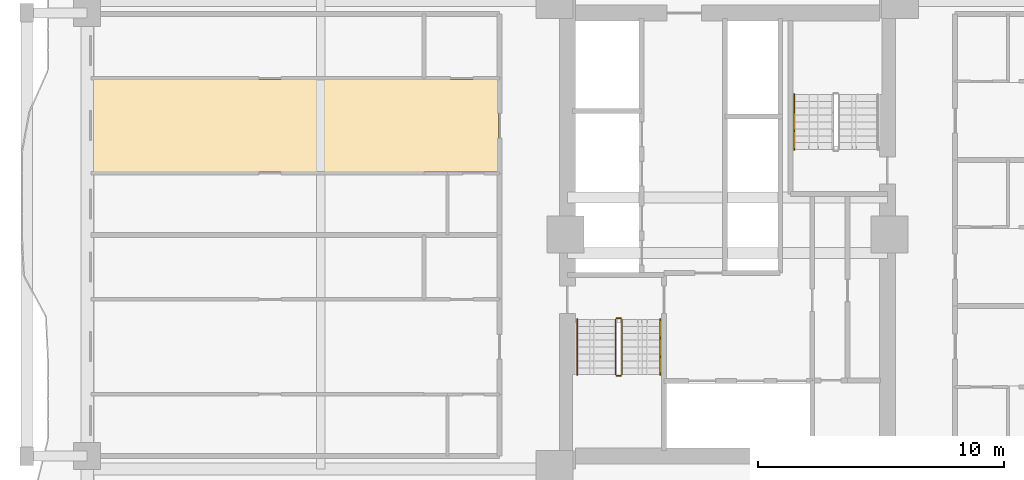
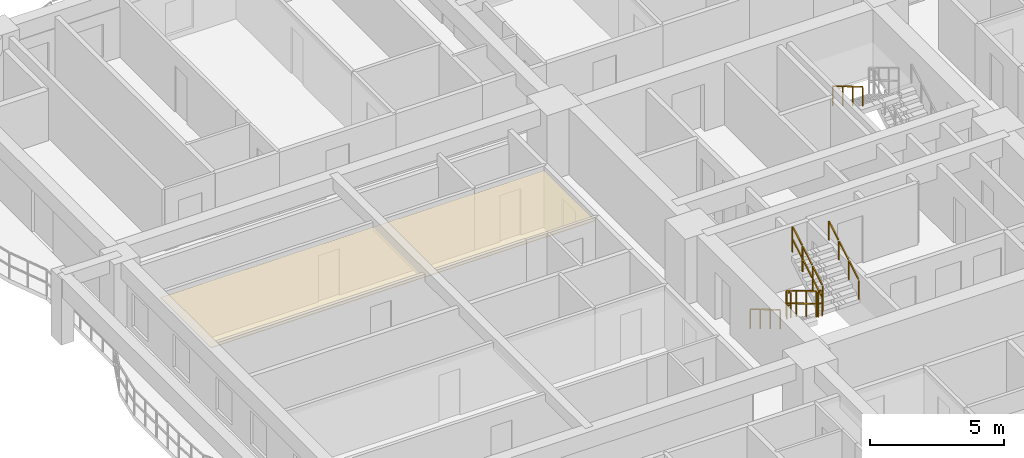
# One storey, part 13 of 16: 7 railings, 1 covering.
"""IFC4 building model written with IfcOpenShell, lengths in metres."""

from ifc_helpers import new_model, si_unit, direction, frame, origin, origin_2d, place, context, subcontext, project, spatial, polyline, rectangle, outline, extrude, material, layer, layer_set, type_object, element, save


model = new_model("IFC4")

# Units and contexts
model_context = context("Model", 3, precision=1e-05, world=origin(), true_north=direction((0.0, 1.0)))
body_context = subcontext(model_context, "Body", "Model", "MODEL_VIEW")
ifc_project = project(units=[si_unit("LENGTHUNIT", "METRE"), si_unit("AREAUNIT", "SQUARE_METRE"), si_unit("VOLUMEUNIT", "CUBIC_METRE"), si_unit("PLANEANGLEUNIT", "RADIAN"), si_unit("MASSUNIT", "GRAM", prefix="KILO")], contexts=[model_context])

# Site, building, storey
site_placement = place(None, origin())
site = spatial("IfcSite", under=ifc_project, at=site_placement, CompositionType="ELEMENT")
building_placement = place(site_placement, origin())
building = spatial("IfcBuilding", under=site, at=building_placement, Name="Saelheon Loggia Tower", CompositionType="ELEMENT")
storey_placement = place(building_placement, frame((0.0, 0.0, 37.39990234375)))
storey = spatial("IfcBuildingStorey", under=building, at=storey_placement, Name="L11", CompositionType="ELEMENT", Elevation=37.39990234375)

# Covering
ifc_material_1 = material(Name="Mineral-Fibre Acoustic Ceiling Board", Category="gypsum")
ifc_layer = layer(ifc_material_1, 0.02490234375)
ifc_layer_set = layer_set([ifc_layer], Name="Mineral-Fibre Acoustic Ceiling Board")
covering_type = type_object("IfcCoveringType", Name="Cov_Ceiling_Acoustic", PredefinedType="CEILING", material=ifc_layer_set)
covering_placement = place(storey_placement, frame((0.0, 0.0, 2.53515625)))
element("IfcCovering", 1, at=covering_placement, inside=storey, type_object=covering_type, Name="L11 Acoustic Suspended Ceiling", PredefinedType="CEILING", context=body_context, shape_type="SweptSolid", body=[
    extrude(outline(polyline([(12.199951171875, 29.5380859375), (28.699951171875, 29.5380859375), (28.699951171875, 33.300048828125), (12.199951171875, 33.300048828125), (12.199951171875, 29.5380859375)])), origin(), (0.0, 0.0, 1.0), 0.02490234375),
])

# Railings
ifc_material_2 = material(Name="Galvanised Steel S275 Stairwell Guardrail", Category="steel")
railing_type_1 = type_object("IfcRailingType", Name="Guard_StairWell_RL_STG", PredefinedType="GUARDRAIL", material=ifc_material_2)
railing_1_placement = place(storey_placement, frame((33.4599609375, 23.550048828125, 0.166748046875)))
element("IfcRailing", 2, at=railing_1_placement, inside=storey, type_object=railing_type_1, Name="L11 ST1 stair guard 1", PredefinedType="GUARDRAIL", context=body_context, shape_type="SweptSolid", body=[
    extrude(rectangle(XDim=0.048095703125, YDim=0.048095703125, at=origin_2d()), frame((0.0, -0.028564453125, 1.19287109375), z_axis=(0.0, -0.859305625298, 0.511462454469), x_axis=(1.0, 0.0, 0.0)), (0.0, 0.0, 1.0), 0.802490234375),
    extrude(rectangle(XDim=0.048095703125, YDim=0.048095703125, at=origin_2d()), frame((0.0, -0.028564453125, 0.616943359375), z_axis=(0.0, -0.859305625298, 0.511462454469), x_axis=(1.0, 0.0, 0.0)), (0.0, 0.0, 1.0), 0.802490234375),
    extrude(rectangle(XDim=0.048095703125, YDim=0.048095703125, at=origin_2d()), frame((0.0, -0.775146484375, 1.63720703125), z_axis=(0.0, -0.859305625298, 0.511462454469), x_axis=(1.0, 0.0, 0.0)), (0.0, 0.0, 1.0), 0.802490234375),
    extrude(rectangle(XDim=0.048095703125, YDim=0.048095703125, at=origin_2d()), frame((0.0, -0.775146484375, 1.061279296875), z_axis=(0.0, -0.859305625298, 0.511462454469), x_axis=(1.0, 0.0, 0.0)), (0.0, 0.0, 1.0), 0.802490234375),
    extrude(rectangle(XDim=0.048095703125, YDim=0.048095703125, at=origin_2d()), frame((0.0, -1.52197265625, 2.081787109375), z_axis=(0.0, -0.859305625298, 0.511462454469), x_axis=(1.0, 0.0, 0.0)), (0.0, 0.0, 1.0), 0.802490234375),
    extrude(rectangle(XDim=0.048095703125, YDim=0.048095703125, at=origin_2d()), frame((0.0, -1.52197265625, 1.505859375), z_axis=(0.0, -0.859305625298, 0.511462454469), x_axis=(1.0, 0.0, 0.0)), (0.0, 0.0, 1.0), 0.802490234375),
    extrude(rectangle(XDim=0.0419921875, YDim=0.0419921875, at=origin_2d()), origin(), (0.0, 0.0, 1.0), 1.14794921875),
    extrude(rectangle(XDim=0.0419921875, YDim=0.0419921875, at=origin_2d()), frame((0.0, -0.74658203125, 0.4443359375)), (0.0, 0.0, 1.0), 1.14794921875),
    extrude(rectangle(XDim=0.0419921875, YDim=0.0419921875, at=origin_2d()), frame((0.0, -1.493408203125, 0.888916015625)), (0.0, 0.0, 1.0), 1.14794921875),
    extrude(rectangle(XDim=0.0419921875, YDim=0.0419921875, at=origin_2d()), frame((0.0, -2.239990234375, 1.333251953125)), (0.0, 0.0, 1.0), 1.14794921875),
])
railing_2_placement = place(storey_placement, frame((33.510009765625, 21.260009765625, 1.5)))
element("IfcRailing", 3, at=railing_2_placement, inside=storey, type_object=railing_type_1, Name="L11 ST1 stair guard 2", PredefinedType="GUARDRAIL", context=body_context, shape_type="SweptSolid", body=[
    extrude(rectangle(XDim=0.048095703125, YDim=0.048095703125, at=origin_2d()), frame((0.033203125, 0.0, 1.17578125), z_axis=(1.0, 0.0, 0.0), x_axis=(0.0, 1.0, 0.0)), (0.0, 0.0, 1.0), 0.093505859375),
    extrude(rectangle(XDim=0.048095703125, YDim=0.048095703125, at=origin_2d()), frame((0.033203125, 0.0, 0.60009765625), z_axis=(1.0, 0.0, 0.0), x_axis=(0.0, 1.0, 0.0)), (0.0, 0.0, 1.0), 0.093505859375),
    extrude(rectangle(XDim=0.0419921875, YDim=0.0419921875, at=origin_2d()), origin(), (0.0, 0.0, 1.0), 1.14794921875),
    extrude(rectangle(XDim=0.0419921875, YDim=0.0419921875, at=origin_2d()), frame((0.159912109375, 0.0, 0.0)), (0.0, 0.0, 1.0), 1.14794921875),
])
railing_3_placement = place(storey_placement, frame((33.719970703125, 21.31005859375, 1.666748046875)))
element("IfcRailing", 4, at=railing_3_placement, inside=storey, type_object=railing_type_1, Name="L11 ST1 stair guard 3", PredefinedType="GUARDRAIL", context=body_context, shape_type="SweptSolid", body=[
    extrude(rectangle(XDim=0.048095703125, YDim=0.048095703125, at=origin_2d()), frame((0.0, 0.028564453125, 1.19287109375), z_axis=(0.0, 0.859305625298, 0.511462454469), x_axis=(-1.0, 0.0, 0.0)), (0.0, 0.0, 1.0), 0.802490234375),
    extrude(rectangle(XDim=0.048095703125, YDim=0.048095703125, at=origin_2d()), frame((0.0, 0.028564453125, 0.616943359375), z_axis=(0.0, 0.859305625298, 0.511462454469), x_axis=(-1.0, 0.0, 0.0)), (0.0, 0.0, 1.0), 0.802490234375),
    extrude(rectangle(XDim=0.048095703125, YDim=0.048095703125, at=origin_2d()), frame((0.0, 0.775146484375, 1.63720703125), z_axis=(0.0, 0.859305625298, 0.511462454469), x_axis=(-1.0, 0.0, 0.0)), (0.0, 0.0, 1.0), 0.802490234375),
    extrude(rectangle(XDim=0.048095703125, YDim=0.048095703125, at=origin_2d()), frame((0.0, 0.775146484375, 1.061279296875), z_axis=(0.0, 0.859305625298, 0.511462454469), x_axis=(-1.0, 0.0, 0.0)), (0.0, 0.0, 1.0), 0.802490234375),
    extrude(rectangle(XDim=0.048095703125, YDim=0.048095703125, at=origin_2d()), frame((0.0, 1.52197265625, 2.081787109375), z_axis=(0.0, 0.859305625298, 0.511462454469), x_axis=(-1.0, 0.0, 0.0)), (0.0, 0.0, 1.0), 0.802490234375),
    extrude(rectangle(XDim=0.048095703125, YDim=0.048095703125, at=origin_2d()), frame((0.0, 1.52197265625, 1.505859375), z_axis=(0.0, 0.859305625298, 0.511462454469), x_axis=(-1.0, 0.0, 0.0)), (0.0, 0.0, 1.0), 0.802490234375),
    extrude(rectangle(XDim=0.0419921875, YDim=0.0419921875, at=origin_2d()), origin(), (0.0, 0.0, 1.0), 1.14794921875),
    extrude(rectangle(XDim=0.0419921875, YDim=0.0419921875, at=origin_2d()), frame((0.0, 0.74658203125, 0.4443359375)), (0.0, 0.0, 1.0), 1.14794921875),
    extrude(rectangle(XDim=0.0419921875, YDim=0.0419921875, at=origin_2d()), frame((0.0, 1.493408203125, 0.888916015625)), (0.0, 0.0, 1.0), 1.14794921875),
    extrude(rectangle(XDim=0.0419921875, YDim=0.0419921875, at=origin_2d()), frame((0.0, 2.239990234375, 1.333251953125)), (0.0, 0.0, 1.0), 1.14794921875),
])
railing_4_placement = place(storey_placement, frame((33.510009765625, 23.60009765625, 0.0)))
element("IfcRailing", 5, at=railing_4_placement, inside=storey, type_object=railing_type_1, Name="L11 ST1 stair guard 4", PredefinedType="GUARDRAIL", context=body_context, shape_type="SweptSolid", body=[
    extrude(rectangle(XDim=0.048095703125, YDim=0.048095703125, at=origin_2d()), frame((0.033203125, 0.0, 1.17578125), z_axis=(1.0, 0.0, 0.0), x_axis=(0.0, 1.0, 0.0)), (0.0, 0.0, 1.0), 0.093505859375),
    extrude(rectangle(XDim=0.048095703125, YDim=0.048095703125, at=origin_2d()), frame((0.033203125, 0.0, 0.60009765625), z_axis=(1.0, 0.0, 0.0), x_axis=(0.0, 1.0, 0.0)), (0.0, 0.0, 1.0), 0.093505859375),
    extrude(rectangle(XDim=0.0419921875, YDim=0.0419921875, at=origin_2d()), origin(), (0.0, 0.0, 1.0), 1.14794921875),
    extrude(rectangle(XDim=0.0419921875, YDim=0.0419921875, at=origin_2d()), frame((0.159912109375, 0.0, 0.0)), (0.0, 0.0, 1.0), 1.14794921875),
])
ifc_material_3 = material(Name="Stainless Steel 304 Tubular Handrail", Category="steel")
railing_type_2 = type_object("IfcRailingType", Name="Handrail_Stair_RL_HR1", PredefinedType="HANDRAIL", material=ifc_material_3)
railing_5_placement = place(storey_placement, frame((31.89990234375, 23.550048828125, 0.166748046875)))
element("IfcRailing", 6, at=railing_5_placement, inside=storey, type_object=railing_type_2, Name="L11 ST1 stair handrail 1", PredefinedType="HANDRAIL", context=body_context, shape_type="SweptSolid", body=[
    extrude(rectangle(XDim=0.048095703125, YDim=0.048095703125, at=origin_2d()), frame((0.0, -0.028564453125, 0.892822265625), z_axis=(0.0, -0.859305625298, 0.511462454469), x_axis=(1.0, 0.0, 0.0)), (0.0, 0.0, 1.0), 0.802490234375),
    extrude(rectangle(XDim=0.048095703125, YDim=0.048095703125, at=origin_2d()), frame((0.0, -0.775146484375, 1.337158203125), z_axis=(0.0, -0.859305625298, 0.511462454469), x_axis=(1.0, 0.0, 0.0)), (0.0, 0.0, 1.0), 0.802490234375),
    extrude(rectangle(XDim=0.048095703125, YDim=0.048095703125, at=origin_2d()), frame((0.0, -1.52197265625, 1.78173828125), z_axis=(0.0, -0.859305625298, 0.511462454469), x_axis=(1.0, 0.0, 0.0)), (0.0, 0.0, 1.0), 0.802490234375),
    extrude(rectangle(XDim=0.0419921875, YDim=0.0419921875, at=origin_2d()), origin(), (0.0, 0.0, 1.0), 0.847900390625),
    extrude(rectangle(XDim=0.0419921875, YDim=0.0419921875, at=origin_2d()), frame((0.0, -0.74658203125, 0.4443359375)), (0.0, 0.0, 1.0), 0.847900390625),
    extrude(rectangle(XDim=0.0419921875, YDim=0.0419921875, at=origin_2d()), frame((0.0, -1.493408203125, 0.888916015625)), (0.0, 0.0, 1.0), 0.847900390625),
    extrude(rectangle(XDim=0.0419921875, YDim=0.0419921875, at=origin_2d()), frame((0.0, -2.239990234375, 1.333251953125)), (0.0, 0.0, 1.0), 0.847900390625),
])
railing_6_placement = place(storey_placement, frame((35.280029296875, 21.31005859375, 1.666748046875)))
element("IfcRailing", 7, at=railing_6_placement, inside=storey, type_object=railing_type_2, Name="L11 ST1 stair handrail 2", PredefinedType="HANDRAIL", context=body_context, shape_type="SweptSolid", body=[
    extrude(rectangle(XDim=0.048095703125, YDim=0.048095703125, at=origin_2d()), frame((0.0, 0.028564453125, 0.892822265625), z_axis=(0.0, 0.859305625298, 0.511462454469), x_axis=(-1.0, 0.0, 0.0)), (0.0, 0.0, 1.0), 0.802490234375),
    extrude(rectangle(XDim=0.048095703125, YDim=0.048095703125, at=origin_2d()), frame((0.0, 0.775146484375, 1.337158203125), z_axis=(0.0, 0.859305625298, 0.511462454469), x_axis=(-1.0, 0.0, 0.0)), (0.0, 0.0, 1.0), 0.802490234375),
    extrude(rectangle(XDim=0.048095703125, YDim=0.048095703125, at=origin_2d()), frame((0.0, 1.52197265625, 1.78173828125), z_axis=(0.0, 0.859305625298, 0.511462454469), x_axis=(-1.0, 0.0, 0.0)), (0.0, 0.0, 1.0), 0.802490234375),
    extrude(rectangle(XDim=0.0419921875, YDim=0.0419921875, at=origin_2d()), origin(), (0.0, 0.0, 1.0), 0.847900390625),
    extrude(rectangle(XDim=0.0419921875, YDim=0.0419921875, at=origin_2d()), frame((0.0, 0.74658203125, 0.4443359375)), (0.0, 0.0, 1.0), 0.847900390625),
    extrude(rectangle(XDim=0.0419921875, YDim=0.0419921875, at=origin_2d()), frame((0.0, 1.493408203125, 0.888916015625)), (0.0, 0.0, 1.0), 0.847900390625),
    extrude(rectangle(XDim=0.0419921875, YDim=0.0419921875, at=origin_2d()), frame((0.0, 2.239990234375, 1.333251953125)), (0.0, 0.0, 1.0), 0.847900390625),
])
railing_7_placement = place(storey_placement, frame((40.719970703125, 32.68994140625, 1.666748046875)))
element("IfcRailing", 8, at=railing_7_placement, inside=storey, type_object=railing_type_2, Name="L11 ST2 stair handrail 2", PredefinedType="HANDRAIL", context=body_context, shape_type="SweptSolid", body=[
    extrude(rectangle(XDim=0.048095703125, YDim=0.048095703125, at=origin_2d()), frame((0.0, -0.028564453125, 0.892822265625), z_axis=(0.0, -0.859305625298, 0.511462454469), x_axis=(1.0, 0.0, 0.0)), (0.0, 0.0, 1.0), 0.802490234375),
    extrude(rectangle(XDim=0.048095703125, YDim=0.048095703125, at=origin_2d()), frame((0.0, -0.775146484375, 1.337158203125), z_axis=(0.0, -0.859305625298, 0.511462454469), x_axis=(1.0, 0.0, 0.0)), (0.0, 0.0, 1.0), 0.802490234375),
    extrude(rectangle(XDim=0.048095703125, YDim=0.048095703125, at=origin_2d()), frame((0.0, -1.52197265625, 1.78173828125), z_axis=(0.0, -0.859305625298, 0.511462454469), x_axis=(1.0, 0.0, 0.0)), (0.0, 0.0, 1.0), 0.802490234375),
    extrude(rectangle(XDim=0.0419921875, YDim=0.0419921875, at=origin_2d()), origin(), (0.0, 0.0, 1.0), 0.847900390625),
    extrude(rectangle(XDim=0.0419921875, YDim=0.0419921875, at=origin_2d()), frame((0.0, -0.74658203125, 0.4443359375)), (0.0, 0.0, 1.0), 0.847900390625),
    extrude(rectangle(XDim=0.0419921875, YDim=0.0419921875, at=origin_2d()), frame((0.0, -1.493408203125, 0.888916015625)), (0.0, 0.0, 1.0), 0.847900390625),
    extrude(rectangle(XDim=0.0419921875, YDim=0.0419921875, at=origin_2d()), frame((0.0, -2.239990234375, 1.333251953125)), (0.0, 0.0, 1.0), 0.847900390625),
])

save(model, "model.ifc")
